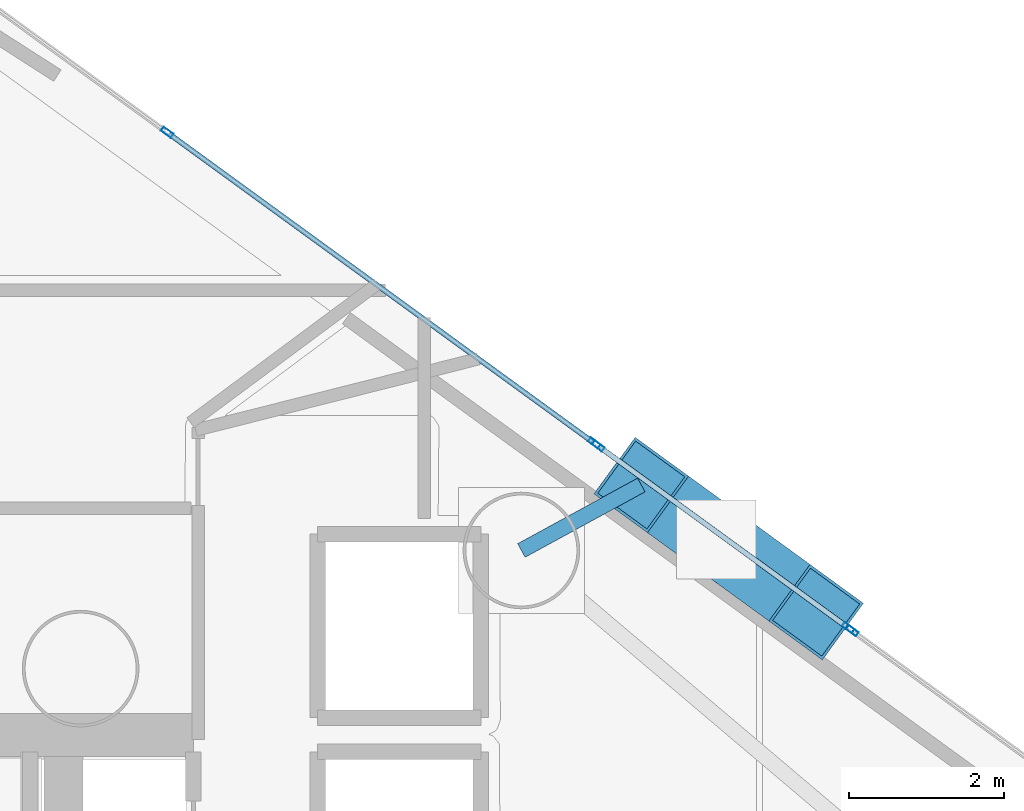
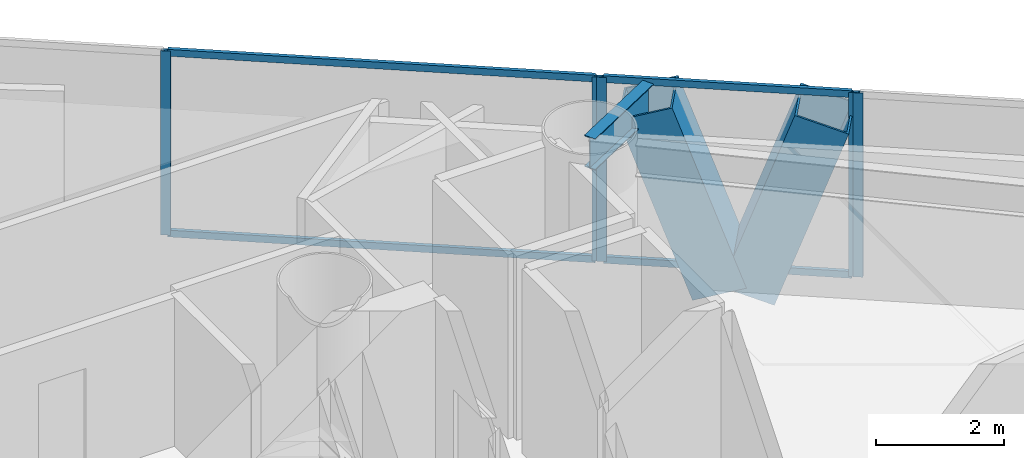
# One storey, part 8 of 18: 11 members, 1 beam, 3 elements without a shape of their own.
"""IFC4 building model written with IfcOpenShell, lengths in metres."""

from ifc_helpers import new_model, si_unit, direction, frame, origin, origin_2d, place, context, subcontext, project, spatial, hollow_rectangle, i_section, extrude, material, layer, layer_set, material_profile, profile_set, type_object, element, aggregate, save


model = new_model("IFC4")

# Units and contexts
model_context = context("Model", 3, precision=1e-05, world=origin(), true_north=direction((0.0, 1.0)))
body_context = subcontext(model_context, "Body", "Model", "MODEL_VIEW")
ifc_project = project(units=[si_unit("LENGTHUNIT", "METRE"), si_unit("AREAUNIT", "SQUARE_METRE"), si_unit("VOLUMEUNIT", "CUBIC_METRE"), si_unit("PLANEANGLEUNIT", "RADIAN"), si_unit("MASSUNIT", "GRAM", prefix="KILO")], contexts=[model_context])

# Site, building, storey
site_placement = place(None, origin())
site = spatial("IfcSite", under=ifc_project, at=site_placement, CompositionType="ELEMENT")
building_placement = place(site_placement, origin())
building = spatial("IfcBuilding", under=site, at=building_placement, Name="Qianvela Tower", CompositionType="ELEMENT")
storey_placement = place(building_placement, frame((0.0, 0.0, 97.800048828125)))
storey = spatial("IfcBuildingStorey", under=building, at=storey_placement, Name="L24", CompositionType="ELEMENT", Elevation=97.800048828125)

# Beam
ifc_material_1 = material(Name="Steel Q355B", Category="steel")
ifc_material_profile_1 = material_profile(ifc_material_1, i_section(OverallWidth=0.199951171875, OverallDepth=0.60009765625, WebThickness=0.010986328125, FlangeThickness=0.01708984375, at=origin_2d()), Name="HN600x200x11x17")
ifc_profile_set_1 = profile_set([ifc_material_profile_1], Name="Steel Q355B")
beam_type = type_object("IfcBeamType", Name="BM-HN600-GIRD", PredefinedType="BEAM", material=ifc_profile_set_1)
beam_placement = place(storey_placement, frame((44.071044921875, 35.070068359375, 3.218017578125), z_axis=(0.877619468421, 0.479357975473, 0.0), x_axis=(-0.479357975473, 0.877619468421, 0.0)))
element("IfcBeam", 1, at=beam_placement, inside=storey, type_object=beam_type, Name="L24 Mega-Brace Column Tie Bracket F1-2", PredefinedType="BEAM", context=body_context, shape_type="SweptSolid", body=[
    extrude(i_section(OverallWidth=0.199951171875, OverallDepth=0.60009765625, WebThickness=0.010986328125, FlangeThickness=0.01708984375, at=origin_2d()), origin(), (0.0, 0.0, 1.0), 1.758056640625),
])

# Curtain wall, members
ifc_material_2 = material(Name="Anodised Architectural Aluminium and Insulated Spandrel Panel", Category="aluminium")
ifc_layer_1 = layer(ifc_material_2, 0.179931640625)
ifc_layer_set_1 = layer_set([ifc_layer_1], Name="Anodised Architectural Aluminium and Insulated Spandrel Panel")
curtain_wall_type_1 = type_object("IfcCurtainWallType", Name="CW-BRACEBAY", PredefinedType="USERDEFINED", material=ifc_layer_set_1)
curtain_wall_1_placement = place(storey_placement, origin())
curtain_wall_1 = element("IfcCurtainWall", 2, at=curtain_wall_1_placement, inside=storey, type_object=curtain_wall_type_1, Name="L24 CW-BRACEBAY Curtain Wall 02B", ObjectType="CURTAIN_WALL_SYSTEM", PredefinedType="USERDEFINED")
ifc_material_3 = material(Name="Anodised Architectural Aluminium 6063-T6", Category="aluminium")
ifc_material_profile_2 = material_profile(ifc_material_3, hollow_rectangle(XDim=0.06494140625, YDim=0.159912109375, WallThickness=0.0048828125, at=origin_2d()), Name="ALU-MULL-65x160")
ifc_profile_set_2 = profile_set([ifc_material_profile_2], Name="Anodised Architectural Aluminium 6063-T6")
member_type_1 = type_object("IfcMemberType", Name="CW-BRACEBAY-MULL", PredefinedType="MULLION", material=ifc_profile_set_2)
member_1_placement = place(storey_placement, frame((48.27587890625, 34.07568359375, 0.0), z_axis=(0.0, 0.0, 1.0), x_axis=(-0.588240868455, -0.808685773758, 0.0)))
member_1 = element("IfcMember", 3, at=member_1_placement, type_object=member_type_1, Name="CW-9 mullion 1", PredefinedType="MULLION", context=body_context, shape_type="SweptSolid", body=[
    extrude(hollow_rectangle(XDim=0.06494140625, YDim=0.159912109375, WallThickness=0.0048828125, at=origin_2d()), origin(), (0.0, 0.0, 1.0), 3.52001953125),
])
member_2_placement = place(storey_placement, frame((45.061279296875, 36.413818359375, 0.0), z_axis=(0.0, 0.0, 1.0), x_axis=(-0.588240868455, -0.808685773758, 0.0)))
member_2 = element("IfcMember", 4, at=member_2_placement, type_object=member_type_1, Name="CW-9 mullion 2", PredefinedType="MULLION", context=body_context, shape_type="SweptSolid", body=[
    extrude(hollow_rectangle(XDim=0.06494140625, YDim=0.159912109375, WallThickness=0.0048828125, at=origin_2d()), origin(), (0.0, 0.0, 1.0), 3.52001953125),
])
ifc_material_4 = material(Name="Anodised Architectural Aluminium 6063-T6", Category="aluminium")
ifc_material_profile_3 = material_profile(ifc_material_4, hollow_rectangle(XDim=0.06494140625, YDim=0.1298828125, WallThickness=0.00439453125, at=origin_2d()), Name="ALU-TRAN-65x130")
ifc_profile_set_3 = profile_set([ifc_material_profile_3], Name="Anodised Architectural Aluminium 6063-T6")
member_type_2 = type_object("IfcMemberType", Name="CW-BRACEBAY-TRAN", PredefinedType="USERDEFINED", material=ifc_profile_set_3)
member_3_placement = place(storey_placement, frame((48.24951171875, 34.0947265625, 0.032470703125), z_axis=(-0.808673976269, 0.588257086745, 0.0), x_axis=(-0.588257086745, -0.808673976269, 0.0)))
member_3 = element("IfcMember", 5, at=member_3_placement, type_object=member_type_2, Name="CW-9 transom 1.1", ObjectType="TRANSOM", PredefinedType="USERDEFINED", context=body_context, shape_type="SweptSolid", body=[
    extrude(hollow_rectangle(XDim=0.06494140625, YDim=0.1298828125, WallThickness=0.00439453125, at=origin_2d()), origin(), (0.0, 0.0, 1.0), 3.909912109375),
])
member_4_placement = place(storey_placement, frame((48.24951171875, 34.0947265625, 3.487548828125), z_axis=(-0.808673976269, 0.588257086745, 0.0), x_axis=(-0.588257086745, -0.808673976269, 0.0)))
member_4 = element("IfcMember", 6, at=member_4_placement, type_object=member_type_2, Name="CW-9 transom 1.2", ObjectType="TRANSOM", PredefinedType="USERDEFINED", context=body_context, shape_type="SweptSolid", body=[
    extrude(hollow_rectangle(XDim=0.06494140625, YDim=0.1298828125, WallThickness=0.00439453125, at=origin_2d()), origin(), (0.0, 0.0, 1.0), 3.909912109375),
])
aggregate(curtain_wall_1, [member_1, member_2, member_3, member_4])

# Curtain wall, member
ifc_material_5 = material(Name="Anodised Architectural Aluminium and Low-E Glass", Category="aluminium")
ifc_layer_2 = layer(ifc_material_5, 0.169921875)
ifc_layer_set_2 = layer_set([ifc_layer_2], Name="Anodised Architectural Aluminium and Low-E Glass")
curtain_wall_type_2 = type_object("IfcCurtainWallType", Name="CW-COLIV-Z34", PredefinedType="USERDEFINED", material=ifc_layer_set_2)
curtain_wall_2_placement = place(storey_placement, origin())
curtain_wall_2 = element("IfcCurtainWall", 7, at=curtain_wall_2_placement, inside=storey, type_object=curtain_wall_type_2, Name="L24 CW-COLIV-Z34 Curtain Wall 02A", ObjectType="CURTAIN_WALL_SYSTEM", PredefinedType="USERDEFINED")
ifc_material_6 = material(Name="Anodised Architectural Aluminium 6063-T6", Category="aluminium")
ifc_material_profile_4 = material_profile(ifc_material_6, hollow_rectangle(XDim=0.06494140625, YDim=0.159912109375, WallThickness=0.0048828125, at=origin_2d()), Name="ALU-MULL-65x160")
ifc_profile_set_4 = profile_set([ifc_material_profile_4], Name="Anodised Architectural Aluminium 6063-T6")
member_type_3 = type_object("IfcMemberType", Name="CW-COLIV-Z34-MULL", PredefinedType="MULLION", material=ifc_profile_set_4)
member_5_placement = place(storey_placement, frame((48.328369140625, 34.037353515625, 0.0), z_axis=(0.0, 0.0, 1.0), x_axis=(-0.588251931147, -0.808677726602, 0.0)))
member_5 = element("IfcMember", 8, at=member_5_placement, type_object=member_type_3, Name="CW-4 mullion 3", PredefinedType="MULLION", context=body_context, shape_type="SweptSolid", body=[
    extrude(hollow_rectangle(XDim=0.06494140625, YDim=0.159912109375, WallThickness=0.0048828125, at=origin_2d()), origin(), (0.0, 0.0, 1.0), 3.52001953125),
])
aggregate(curtain_wall_2, [member_5])

# Curtain wall, members
curtain_wall_3_placement = place(storey_placement, origin())
curtain_wall_3 = element("IfcCurtainWall", 9, at=curtain_wall_3_placement, inside=storey, type_object=curtain_wall_type_2, Name="L24 CW-COLIV-Z34 Curtain Wall 02C", ObjectType="CURTAIN_WALL_SYSTEM", PredefinedType="USERDEFINED")
member_6_placement = place(storey_placement, frame((45.0087890625, 36.4521484375, 0.0), z_axis=(0.0, 0.0, 1.0), x_axis=(-0.588254840184, -0.808675610489, 0.0)))
member_6 = element("IfcMember", 10, at=member_6_placement, type_object=member_type_3, Name="CW-4 mullion 1", PredefinedType="MULLION", context=body_context, shape_type="SweptSolid", body=[
    extrude(hollow_rectangle(XDim=0.06494140625, YDim=0.159912109375, WallThickness=0.0048828125, at=origin_2d()), origin(), (0.0, 0.0, 1.0), 3.52001953125),
])
member_7_placement = place(storey_placement, frame((39.51220703125, 40.450439453125, 0.0), z_axis=(0.0, 0.0, 1.0), x_axis=(-0.588254840184, -0.808675610489, 0.0)))
member_7 = element("IfcMember", 11, at=member_7_placement, type_object=member_type_3, Name="CW-4 mullion 2", PredefinedType="MULLION", context=body_context, shape_type="SweptSolid", body=[
    extrude(hollow_rectangle(XDim=0.06494140625, YDim=0.159912109375, WallThickness=0.0048828125, at=origin_2d()), origin(), (0.0, 0.0, 1.0), 3.52001953125),
])
ifc_material_7 = material(Name="Anodised Architectural Aluminium 6063-T6", Category="aluminium")
ifc_material_profile_5 = material_profile(ifc_material_7, hollow_rectangle(XDim=0.06494140625, YDim=0.1298828125, WallThickness=0.00439453125, at=origin_2d()), Name="ALU-TRAN-65x130")
ifc_profile_set_5 = profile_set([ifc_material_profile_5], Name="Anodised Architectural Aluminium 6063-T6")
member_type_4 = type_object("IfcMemberType", Name="CW-COLIV-Z34-TRAN", PredefinedType="USERDEFINED", material=ifc_profile_set_5)
member_8_placement = place(storey_placement, frame((44.982421875, 36.47119140625, 0.032470703125), z_axis=(-0.808662369475, 0.588273042213, 0.0), x_axis=(-0.588273042213, -0.808662369475, 0.0)))
member_8 = element("IfcMember", 12, at=member_8_placement, type_object=member_type_4, Name="CW-4 transom 1.1", ObjectType="TRANSOM", PredefinedType="USERDEFINED", context=body_context, shape_type="SweptSolid", body=[
    extrude(hollow_rectangle(XDim=0.06494140625, YDim=0.1298828125, WallThickness=0.00439453125, at=origin_2d()), origin(), (0.0, 0.0, 1.0), 6.73193359375),
])
member_9_placement = place(storey_placement, frame((44.982421875, 36.47119140625, 3.487548828125), z_axis=(-0.808662369475, 0.588273042213, 0.0), x_axis=(-0.588273042213, -0.808662369475, 0.0)))
member_9 = element("IfcMember", 13, at=member_9_placement, type_object=member_type_4, Name="CW-4 transom 1.2", ObjectType="TRANSOM", PredefinedType="USERDEFINED", context=body_context, shape_type="SweptSolid", body=[
    extrude(hollow_rectangle(XDim=0.06494140625, YDim=0.1298828125, WallThickness=0.00439453125, at=origin_2d()), origin(), (0.0, 0.0, 1.0), 6.73193359375),
])
aggregate(curtain_wall_3, [member_6, member_7, member_8, member_9])

# Members
ifc_material_8 = material(Name="Steel Q420GJC", Category="steel")
ifc_material_profile_6 = material_profile(ifc_material_8, hollow_rectangle(XDim=0.89990234375, YDim=0.89990234375, WallThickness=0.035888671875, at=origin_2d()), Name="MBOX-900x900x36")
ifc_profile_set_6 = profile_set([ifc_material_profile_6], Name="Steel Q420GJC")
member_type_5 = type_object("IfcMemberType", Name="MBR-MBRACE-900", PredefinedType="BRACE", material=ifc_profile_set_6)
for number, where, z_axis, x_axis, name in (
    (14, (46.916748046875, 34.96533203125, -0.14013671875), (0.266282283837, -0.193653602141, 0.944241509198), (0.588159300713, 0.80874510013, 0.0), "L24 Tier 4 Exterior Mega-Brace F1A"),
    (15, (46.560791015625, 35.22412109375, -0.14013671875), (-0.266218502453, 0.193657141676, 0.944258767727), (-0.58825848717, -0.80867295755, 0.0), "L24 Tier 4 Exterior Mega-Brace F1B"),
):
    element("IfcMember", number, at=place(storey_placement, frame(where, z_axis=z_axis, x_axis=x_axis)), inside=storey, type_object=member_type_5, Name=name, PredefinedType="BRACE", context=body_context, shape_type="SweptSolid", body=[
        extrude(hollow_rectangle(XDim=0.89990234375, YDim=0.89990234375, WallThickness=0.035888671875, at=origin_2d()), origin(), (0.0, 0.0, 1.0), 3.556396484375),
    ])

save(model, "model.ifc")
